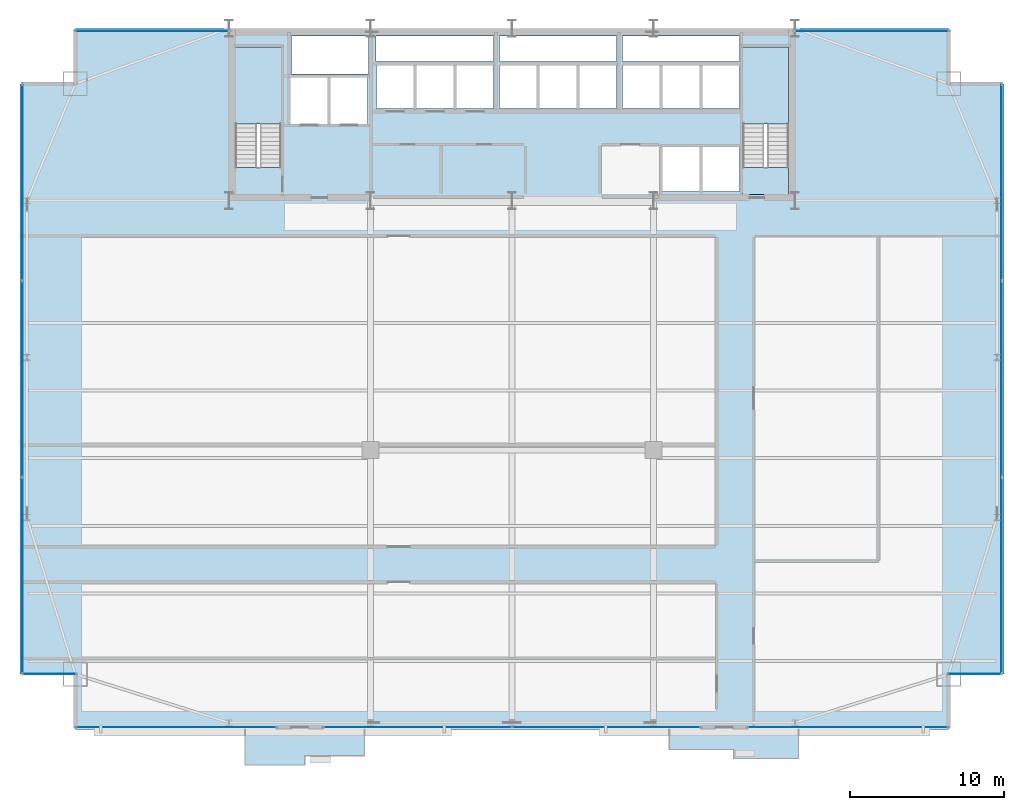
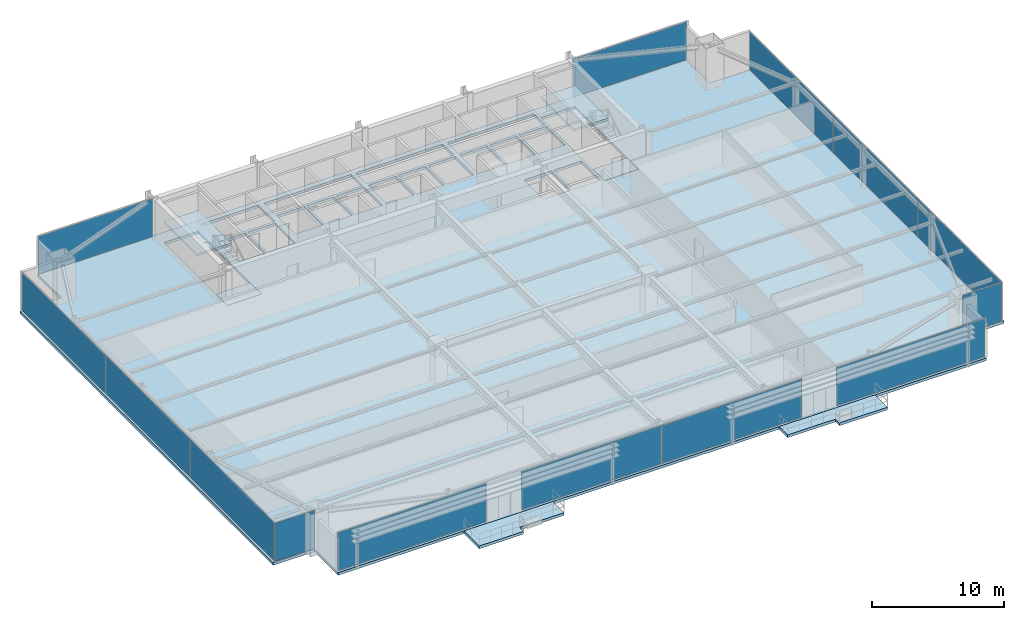
# One storey, part 24 of 31: 14 plates, 7 slabs, 11 elements without a shape of their own.
"""IFC4 building model written with IfcOpenShell, lengths in metres."""

from ifc_helpers import new_model, si_unit, direction, frame, origin, origin_2d, place, context, subcontext, project, spatial, polyline, rectangle, outline, extrude, source, transform, mapped, material, layer, layer_set, type_object, type_shapes, element, aggregate, save


model = new_model("IFC4")

# Units and contexts
model_context = context("Model", 3, precision=1e-05, world=origin(), true_north=direction((0.0, 1.0)))
body_context = subcontext(model_context, "Body", "Model", "MODEL_VIEW")
ifc_project = project(units=[si_unit("LENGTHUNIT", "METRE"), si_unit("AREAUNIT", "SQUARE_METRE"), si_unit("VOLUMEUNIT", "CUBIC_METRE"), si_unit("PLANEANGLEUNIT", "RADIAN"), si_unit("MASSUNIT", "GRAM", prefix="KILO")], contexts=[model_context])

# Site, building, storey
site_placement = place(None, origin())
site = spatial("IfcSite", under=ifc_project, at=site_placement, CompositionType="ELEMENT")
building_placement = place(site_placement, origin())
building = spatial("IfcBuilding", under=site, at=building_placement, Name="Varnel Quay Broadcast Tower", CompositionType="ELEMENT")
storey_placement = place(building_placement, frame((0.0, 0.0, 39.300048828125)))
storey = spatial("IfcBuildingStorey", under=building, at=storey_placement, Name="L08", CompositionType="ELEMENT", Elevation=39.300048828125)

# Slabs
ifc_material_1 = material(Name="Concrete CSA A23.3 C40/50", Category="concrete")
ifc_layer_1 = layer(ifc_material_1, 0.25, Name="Concrete CSA A23.3 C40/50")
ifc_layer_set_1 = layer_set([ifc_layer_1], Name="Concrete CSA A23.3 C40/50")
slab_type_1 = type_object("IfcSlabType", Name="Slab_ExtTerrace250", PredefinedType="FLOOR", material=ifc_layer_set_1)
slab_1_placement = place(storey_placement, frame((0.0, 0.0, -0.25)))
element("IfcSlab", 1, at=slab_1_placement, inside=storey, type_object=slab_type_1, Name="L08 Planted Lobe Terrace Slab 1", PredefinedType="FLOOR", context=body_context, shape_type="SweptSolid", body=[
    extrude(outline(polyline([(16.6298828125, -1.110107421875), (20.514892578125, -1.110107421875), (20.514892578125, -0.510009765625), (24.39990234375, -0.510009765625), (24.39990234375, 1.199951171875), (16.6298828125, 1.199951171875), (16.6298828125, -1.110107421875)])), origin(), (0.0, 0.0, 1.0), 0.25),
])
slab_2_placement = place(storey_placement, frame((0.0, 0.0, -0.25)))
element("IfcSlab", 2, at=slab_2_placement, inside=storey, type_object=slab_type_1, Name="L08 Planted Lobe Terrace Slab 2", PredefinedType="FLOOR", context=body_context, shape_type="SweptSolid", body=[
    extrude(outline(polyline([(44.22998046875, -0.090087890625), (48.429931640625, -0.090087890625), (48.429931640625, -0.68994140625), (52.6298828125, -0.68994140625), (52.6298828125, 1.199951171875), (44.22998046875, 1.199951171875), (44.22998046875, -0.090087890625)])), origin(), (0.0, 0.0, 1.0), 0.25),
])
ifc_material_2 = material(Name="Concrete CSA A23.3 C50/60", Category="concrete")
ifc_layer_2 = layer(ifc_material_2, 0.25, Name="Concrete CSA A23.3 C50/60")
ifc_layer_set_2 = layer_set([ifc_layer_2], Name="Concrete CSA A23.3 C50/60")
slab_type_2 = type_object("IfcSlabType", Name="Slab_Floor250", PredefinedType="FLOOR", material=ifc_layer_set_2)
slab_3_placement = place(storey_placement, frame((0.0, 0.0, -0.25)))
element("IfcSlab", 3, at=slab_3_placement, inside=storey, type_object=slab_type_2, Name="L08 Structural Slab", PredefinedType="FLOOR", context=body_context, shape_type="SweptSolid", body=[
    extrude(outline(polyline([(5.60009765625, 1.199951171875), (62.39990234375, 1.199951171875), (62.39990234375, 4.800048828125), (66.0, 4.800048828125), (66.0, 43.199951171875), (62.39990234375, 43.199951171875), (62.39990234375, 46.800048828125), (5.60009765625, 46.800048828125), (5.60009765625, 43.199951171875), (2.0, 43.199951171875), (2.0, 4.800048828125), (5.60009765625, 4.800048828125), (5.60009765625, 1.199951171875)]), holes=[polyline([(16.0, 36.0), (16.0, 45.60009765625), (19.0, 45.60009765625), (19.0, 36.0), (16.0, 36.0)]), polyline([(19.60009765625, 43.60009765625), (22.0, 43.60009765625), (22.0, 40.60009765625), (19.60009765625, 40.60009765625), (19.60009765625, 43.60009765625)]), polyline([(22.199951171875, 43.60009765625), (24.60009765625, 43.60009765625), (24.60009765625, 40.60009765625), (22.199951171875, 40.60009765625), (22.199951171875, 43.60009765625)]), polyline([(25.199951171875, 44.39990234375), (27.60009765625, 44.39990234375), (27.60009765625, 41.60009765625), (25.199951171875, 41.60009765625), (25.199951171875, 44.39990234375)]), polyline([(27.800048828125, 44.39990234375), (30.199951171875, 44.39990234375), (30.199951171875, 41.60009765625), (27.800048828125, 41.60009765625), (27.800048828125, 44.39990234375)]), polyline([(30.39990234375, 44.39990234375), (32.800048828125, 44.39990234375), (32.800048828125, 41.60009765625), (30.39990234375, 41.60009765625), (30.39990234375, 44.39990234375)]), polyline([(33.199951171875, 44.39990234375), (35.60009765625, 44.39990234375), (35.60009765625, 41.60009765625), (33.199951171875, 41.60009765625), (33.199951171875, 44.39990234375)]), polyline([(38.199951171875, 44.39990234375), (38.199951171875, 41.60009765625), (35.800048828125, 41.60009765625), (35.800048828125, 44.39990234375), (38.199951171875, 44.39990234375)]), polyline([(24.679931640625, 46.300048828125), (24.679931640625, 43.85009765625), (19.64990234375, 43.85009765625), (19.64990234375, 46.300048828125), (24.679931640625, 46.300048828125)]), polyline([(25.14990234375, 46.300048828125), (32.800048828125, 46.300048828125), (32.800048828125, 44.64990234375), (25.14990234375, 44.64990234375), (25.14990234375, 46.300048828125)]), polyline([(43.800048828125, 39.10009765625), (46.199951171875, 39.10009765625), (46.199951171875, 36.199951171875), (43.800048828125, 36.199951171875), (43.800048828125, 39.10009765625)]), polyline([(46.39990234375, 39.10009765625), (48.800048828125, 39.10009765625), (48.800048828125, 36.199951171875), (46.39990234375, 36.199951171875), (46.39990234375, 39.10009765625)]), polyline([(49.0, 45.60009765625), (52.0, 45.60009765625), (52.0, 36.0), (49.0, 36.0), (49.0, 45.60009765625)]), polyline([(40.800048828125, 44.39990234375), (40.800048828125, 41.60009765625), (38.39990234375, 41.60009765625), (38.39990234375, 44.39990234375), (40.800048828125, 44.39990234375)]), polyline([(41.199951171875, 44.39990234375), (43.60009765625, 44.39990234375), (43.60009765625, 41.60009765625), (41.199951171875, 41.60009765625), (41.199951171875, 44.39990234375)]), polyline([(43.800048828125, 44.39990234375), (46.199951171875, 44.39990234375), (46.199951171875, 41.60009765625), (43.800048828125, 41.60009765625), (43.800048828125, 44.39990234375)]), polyline([(46.39990234375, 44.39990234375), (48.800048828125, 44.39990234375), (48.800048828125, 41.60009765625), (46.39990234375, 41.60009765625), (46.39990234375, 44.39990234375)]), polyline([(40.800048828125, 46.300048828125), (40.800048828125, 44.64990234375), (33.199951171875, 44.64990234375), (33.199951171875, 46.300048828125), (40.800048828125, 46.300048828125)]), polyline([(48.800048828125, 46.300048828125), (48.800048828125, 44.64990234375), (41.199951171875, 44.64990234375), (41.199951171875, 46.300048828125), (48.800048828125, 46.300048828125)])]), origin(), (0.0, 0.0, 1.0), 0.25),
])
ifc_layer_3 = layer(ifc_material_2, 0.25, Name="Concrete CSA A23.3 C50/60")
ifc_layer_set_3 = layer_set([ifc_layer_3], Name="Concrete CSA A23.3 C50/60")
slab_type_3 = type_object("IfcSlabType", Name="Slab_StairFloorLanding250", PredefinedType="FLOOR", material=ifc_layer_set_3)
slab_4_placement = place(storey_placement, frame((0.0, 0.0, -0.25)))
element("IfcSlab", 4, at=slab_4_placement, inside=storey, type_object=slab_type_3, Name="L08 ST-01 Structural Floor Landing Slab", PredefinedType="FLOOR", context=body_context, shape_type="SweptSolid", body=[
    extrude(outline(polyline([(19.0, 36.0), (19.0, 37.75), (16.0, 37.75), (16.0, 36.0), (19.0, 36.0)])), origin(), (0.0, 0.0, 1.0), 0.25),
])
slab_5_placement = place(storey_placement, frame((0.0, 0.0, -0.25)))
element("IfcSlab", 5, at=slab_5_placement, inside=storey, type_object=slab_type_3, Name="L08 ST-02 Structural Floor Landing Slab", PredefinedType="FLOOR", context=body_context, shape_type="SweptSolid", body=[
    extrude(outline(polyline([(52.0, 36.0), (52.0, 37.75), (49.0, 37.75), (49.0, 36.0), (52.0, 36.0)])), origin(), (0.0, 0.0, 1.0), 0.25),
])

# Stair, slab
ifc_material_3 = material(Name="Precast Structural Concrete C40/50", Category="concrete")
stair_type_1 = type_object("IfcStairType", Name="Stair_ST-01", PredefinedType="HALF_TURN_STAIR", material=ifc_material_3)
stair_1_placement = place(storey_placement, origin())
stair_1 = element("IfcStair", 6, at=stair_1_placement, inside=storey, type_object=stair_type_1, Name="L08 West Core Exit Stair 1", PredefinedType="HALF_TURN_STAIR")
ifc_layer_4 = layer(ifc_material_3, 0.199951171875, Name="Precast Structural Concrete C40/50")
ifc_layer_set_4 = layer_set([ifc_layer_4], Name="Precast Structural Concrete C40/50")
slab_type_4 = type_object("IfcSlabType", Name="Slab_StairLanding200", PredefinedType="LANDING", material=ifc_layer_set_4)
slab_6_placement = place(storey_placement, frame((0.0, 0.0, 1.75)))
slab_6 = element("IfcSlab", 7, at=slab_6_placement, type_object=slab_type_4, Name="ST-01 landing 1", PredefinedType="LANDING", context=body_context, shape_type="SweptSolid", body=[
    extrude(outline(polyline([(19.0, 40.60009765625), (19.0, 45.60009765625), (16.0, 45.60009765625), (16.0, 40.60009765625), (19.0, 40.60009765625)])), origin(), (0.0, 0.0, 1.0), 0.199951171875),
])
aggregate(stair_1, [slab_6])

stair_type_2 = type_object("IfcStairType", Name="Stair_ST-02", PredefinedType="HALF_TURN_STAIR", material=ifc_material_3)
stair_2_placement = place(storey_placement, origin())
stair_2 = element("IfcStair", 8, at=stair_2_placement, inside=storey, type_object=stair_type_2, Name="L08 East Core Exit Stair 2", PredefinedType="HALF_TURN_STAIR")
slab_7_placement = place(storey_placement, frame((0.0, 0.0, 1.75)))
slab_7 = element("IfcSlab", 9, at=slab_7_placement, type_object=slab_type_4, Name="ST-02 landing 1", PredefinedType="LANDING", context=body_context, shape_type="SweptSolid", body=[
    extrude(outline(polyline([(52.0, 40.60009765625), (52.0, 45.60009765625), (49.0, 45.60009765625), (49.0, 40.60009765625), (52.0, 40.60009765625)])), origin(), (0.0, 0.0, 1.0), 0.199951171875),
])
aggregate(stair_2, [slab_7])

# Curtain wall, plate
ifc_material_4 = material(Name="Anodised Bronze Aluminium 6063-T6", Category="aluminium")
ifc_layer_5 = layer(ifc_material_4, 0.18994140625, Name="Anodised Bronze Aluminium 6063-T6")
ifc_layer_set_5 = layer_set([ifc_layer_5], Name="Anodised Bronze Aluminium 6063-T6")
curtain_wall_type_1 = type_object("IfcCurtainWallType", Name="CW_LowerTower", PredefinedType="NOTDEFINED", material=ifc_layer_set_5)
curtain_wall_1_placement = place(storey_placement, origin())
curtain_wall_1 = element("IfcCurtainWall", 10, at=curtain_wall_1_placement, inside=storey, type_object=curtain_wall_type_1, Name="L08 South Unitised Curtain Wall 1", PredefinedType="NOTDEFINED")
ifc_material_5 = material(Name="Triple-Glazed Bronze Low-E Architectural Glass", Category="glass")
ifc_layer_6 = layer(ifc_material_5, 0.031982421875, Name="Triple-Glazed Bronze Low-E Architectural Glass")
ifc_layer_set_6 = layer_set([ifc_layer_6], Name="Triple-Glazed Bronze Low-E Architectural Glass")
plate_type_1 = type_object("IfcPlateType", Name="Panel_CWS-02", PredefinedType="CURTAIN_PANEL", material=ifc_layer_set_6)
shared_shape_1 = source(origin(), body_context, "Body", "SweptSolid", [
    extrude(rectangle(XDim=12.97998046875, YDim=0.031982421875, at=origin_2d()), origin(), (0.0, 0.0, 1.0), 3.530029296875),
])
plate_1_placement = place(storey_placement, frame((12.159912109375, 1.35009765625, 0.06005859375), z_axis=(0.0, 0.0, 1.0), x_axis=(1.0, 0.0, 0.0)))
plate_1 = element("IfcPlate", 11, at=plate_1_placement, type_object=plate_type_1, Name="CWS-02 panel 1.1", PredefinedType="CURTAIN_PANEL", context=body_context, shape_type="MappedRepresentation", body=[
    mapped(shared_shape_1, transform((0.0, 0.0, 0.0), x_axis=(1.0, 0.0, 0.0), y_axis=(0.0, 1.0, 0.0), z_axis=(0.0, 0.0, 1.0), scale=1.0)),
])
aggregate(curtain_wall_1, [plate_1])

curtain_wall_2_placement = place(storey_placement, origin())
curtain_wall_2 = element("IfcCurtainWall", 12, at=curtain_wall_2_placement, inside=storey, type_object=curtain_wall_type_1, Name="L08 South Unitised Curtain Wall 3", PredefinedType="NOTDEFINED")
plate_2_placement = place(storey_placement, frame((55.840087890625, 1.35009765625, 0.06005859375), z_axis=(0.0, 0.0, 1.0), x_axis=(1.0, 0.0, 0.0)))
plate_2 = element("IfcPlate", 13, at=plate_2_placement, type_object=plate_type_1, Name="CWS-02 panel 1.1", PredefinedType="CURTAIN_PANEL", context=body_context, shape_type="MappedRepresentation", body=[
    mapped(shared_shape_1, transform((0.0, 0.0, 0.0), x_axis=(1.0, 0.0, 0.0), y_axis=(0.0, 1.0, 0.0), z_axis=(0.0, 0.0, 1.0), scale=1.0)),
])
aggregate(curtain_wall_2, [plate_2])

# Curtain wall, plates
curtain_wall_3_placement = place(storey_placement, origin())
curtain_wall_3 = element("IfcCurtainWall", 14, at=curtain_wall_3_placement, inside=storey, type_object=curtain_wall_type_1, Name="L08 South Unitised Curtain Wall 2", PredefinedType="NOTDEFINED")
ifc_material_6 = material(Name="Insulated Bronze Spandrel Glass", Category="glass")
ifc_layer_7 = layer(ifc_material_6, 0.031982421875, Name="Insulated Bronze Spandrel Glass")
ifc_layer_set_7 = layer_set([ifc_layer_7], Name="Insulated Bronze Spandrel Glass")
plate_type_2 = type_object("IfcPlateType", Name="PanelSp_CWS-02", PredefinedType="CURTAIN_PANEL", material=ifc_layer_set_7)
shared_shape_2 = source(origin(), body_context, "Body", "SweptSolid", [
    extrude(rectangle(XDim=12.215087890625, YDim=0.031982421875, at=origin_2d()), origin(), (0.0, 0.0, 1.0), 3.530029296875),
])
plate_3_placement = place(storey_placement, frame((27.857421875, 1.35009765625, 0.06005859375), z_axis=(0.0, 0.0, 1.0), x_axis=(1.0, 0.0, 0.0)))
plate_3 = element("IfcPlate", 15, at=plate_3_placement, type_object=plate_type_2, Name="CWS-02 panel 1.1", PredefinedType="CURTAIN_PANEL", context=body_context, shape_type="MappedRepresentation", body=[
    mapped(shared_shape_2, transform((0.0, 0.0, 0.0), x_axis=(1.0, 0.0, 0.0), y_axis=(0.0, 1.0, 0.0), z_axis=(0.0, 0.0, 1.0), scale=1.0)),
])
plate_4_placement = place(storey_placement, frame((40.142578125, 1.35009765625, 0.06005859375), z_axis=(0.0, 0.0, 1.0), x_axis=(1.0, 0.0, 0.0)))
plate_4 = element("IfcPlate", 16, at=plate_4_placement, type_object=plate_type_2, Name="CWS-02 panel 2.1", PredefinedType="CURTAIN_PANEL", context=body_context, shape_type="MappedRepresentation", body=[
    mapped(shared_shape_2, transform((0.0, 0.0, 0.0), x_axis=(1.0, 0.0, 0.0), y_axis=(0.0, 1.0, 0.0), z_axis=(0.0, 0.0, 1.0), scale=1.0)),
])
aggregate(curtain_wall_3, [plate_3, plate_4])

curtain_wall_4_placement = place(storey_placement, origin())
curtain_wall_4 = element("IfcCurtainWall", 17, at=curtain_wall_4_placement, inside=storey, type_object=curtain_wall_type_1, Name="L08 West Unitised Curtain Wall", PredefinedType="NOTDEFINED")
shared_shape_3 = source(origin(), body_context, "Body", "SweptSolid", [
    extrude(rectangle(XDim=12.695068359375, YDim=0.031982421875, at=origin_2d()), origin(), (0.0, 0.0, 1.0), 3.530029296875),
])
plate_5_placement = place(storey_placement, frame((2.14990234375, 11.217529296875, 0.06005859375), z_axis=(0.0, 0.0, 1.0), x_axis=(0.0, 1.0, 0.0)))
plate_5 = element("IfcPlate", 18, at=plate_5_placement, type_object=plate_type_2, Name="CWS-02 panel 1.1", PredefinedType="CURTAIN_PANEL", context=body_context, shape_type="MappedRepresentation", body=[
    mapped(shared_shape_3, transform((0.0, 0.0, 0.0), x_axis=(1.0, 0.0, 0.0), y_axis=(0.0, 1.0, 0.0), z_axis=(0.0, 0.0, 1.0), scale=1.0)),
])
plate_6_placement = place(storey_placement, frame((2.14990234375, 36.782470703125, 0.06005859375), z_axis=(0.0, 0.0, 1.0), x_axis=(0.0, 1.0, 0.0)))
plate_6 = element("IfcPlate", 19, at=plate_6_placement, type_object=plate_type_2, Name="CWS-02 panel 3.1", PredefinedType="CURTAIN_PANEL", context=body_context, shape_type="MappedRepresentation", body=[
    mapped(shared_shape_3, transform((0.0, 0.0, 0.0), x_axis=(1.0, 0.0, 0.0), y_axis=(0.0, 1.0, 0.0), z_axis=(0.0, 0.0, 1.0), scale=1.0)),
])

curtain_wall_5_placement = place(storey_placement, origin())
curtain_wall_5 = element("IfcCurtainWall", 20, at=curtain_wall_5_placement, inside=storey, type_object=curtain_wall_type_1, Name="L08 East Unitised Curtain Wall", PredefinedType="NOTDEFINED")
plate_7_placement = place(storey_placement, frame((65.85009765625, 11.217529296875, 0.06005859375), z_axis=(0.0, 0.0, 1.0), x_axis=(0.0, 1.0, 0.0)))
plate_7 = element("IfcPlate", 21, at=plate_7_placement, type_object=plate_type_2, Name="CWS-02 panel 1.1", PredefinedType="CURTAIN_PANEL", context=body_context, shape_type="MappedRepresentation", body=[
    mapped(shared_shape_3, transform((0.0, 0.0, 0.0), x_axis=(1.0, 0.0, 0.0), y_axis=(0.0, 1.0, 0.0), z_axis=(0.0, 0.0, 1.0), scale=1.0)),
])
plate_8_placement = place(storey_placement, frame((65.85009765625, 36.782470703125, 0.06005859375), z_axis=(0.0, 0.0, 1.0), x_axis=(0.0, 1.0, 0.0)))
plate_8 = element("IfcPlate", 22, at=plate_8_placement, type_object=plate_type_2, Name="CWS-02 panel 3.1", PredefinedType="CURTAIN_PANEL", context=body_context, shape_type="MappedRepresentation", body=[
    mapped(shared_shape_3, transform((0.0, 0.0, 0.0), x_axis=(1.0, 0.0, 0.0), y_axis=(0.0, 1.0, 0.0), z_axis=(0.0, 0.0, 1.0), scale=1.0)),
])

# Plate
shared_shape_4 = source(origin(), body_context, "Body", "SweptSolid", [
    extrude(rectangle(XDim=12.72998046875, YDim=0.031982421875, at=origin_2d()), origin(), (0.0, 0.0, 1.0), 3.530029296875),
])
type_shapes(plate_type_2, [shared_shape_2, shared_shape_3, shared_shape_4])
plate_9_placement = place(storey_placement, frame((2.14990234375, 24.0, 0.06005859375), z_axis=(0.0, 0.0, 1.0), x_axis=(0.0, 1.0, 0.0)))
plate_9 = element("IfcPlate", 23, at=plate_9_placement, type_object=plate_type_2, Name="CWS-02 panel 2.1", PredefinedType="CURTAIN_PANEL", context=body_context, shape_type="MappedRepresentation", body=[
    mapped(shared_shape_4, transform((0.0, 0.0, 0.0), x_axis=(1.0, 0.0, 0.0), y_axis=(0.0, 1.0, 0.0), z_axis=(0.0, 0.0, 1.0), scale=1.0)),
])

aggregate(curtain_wall_4, [plate_5, plate_9, plate_6])

plate_10_placement = place(storey_placement, frame((65.85009765625, 24.0, 0.06005859375), z_axis=(0.0, 0.0, 1.0), x_axis=(0.0, 1.0, 0.0)))
plate_10 = element("IfcPlate", 24, at=plate_10_placement, type_object=plate_type_2, Name="CWS-02 panel 2.1", PredefinedType="CURTAIN_PANEL", context=body_context, shape_type="MappedRepresentation", body=[
    mapped(shared_shape_4, transform((0.0, 0.0, 0.0), x_axis=(1.0, 0.0, 0.0), y_axis=(0.0, 1.0, 0.0), z_axis=(0.0, 0.0, 1.0), scale=1.0)),
])

aggregate(curtain_wall_5, [plate_7, plate_10, plate_8])

# Curtain wall, plate
ifc_layer_8 = layer(ifc_material_4, 0.18994140625, Name="Anodised Bronze Aluminium 6063-T6")
ifc_layer_set_8 = layer_set([ifc_layer_8], Name="Anodised Bronze Aluminium 6063-T6")
curtain_wall_type_2 = type_object("IfcCurtainWallType", Name="CW_NotchCorner", PredefinedType="NOTDEFINED", material=ifc_layer_set_8)
curtain_wall_6_placement = place(storey_placement, origin())
curtain_wall_6 = element("IfcCurtainWall", 25, at=curtain_wall_6_placement, inside=storey, type_object=curtain_wall_type_2, Name="L08 SW Notch Curtain Wall", PredefinedType="NOTDEFINED")
ifc_layer_9 = layer(ifc_material_5, 0.028076171875, Name="Triple-Glazed Bronze Low-E Architectural Glass")
ifc_layer_set_9 = layer_set([ifc_layer_9], Name="Triple-Glazed Bronze Low-E Architectural Glass")
plate_type_3 = type_object("IfcPlateType", Name="Panel_CWS-04", PredefinedType="CURTAIN_PANEL", material=ifc_layer_set_9)
shared_shape_5 = source(origin(), body_context, "Body", "SweptSolid", [
    extrude(rectangle(XDim=3.409912109375, YDim=0.028076171875, at=origin_2d()), origin(), (0.0, 0.0, 1.0), 3.5400390625),
])
type_shapes(plate_type_3, [shared_shape_5])
plate_11_placement = place(storey_placement, frame((3.9150390625, 4.800048828125, 0.054931640625), z_axis=(0.0, 0.0, 1.0), x_axis=(1.0, 0.0, 0.0)))
plate_11 = element("IfcPlate", 26, at=plate_11_placement, type_object=plate_type_3, Name="CWS-04 panel 1.1", PredefinedType="CURTAIN_PANEL", context=body_context, shape_type="MappedRepresentation", body=[
    mapped(shared_shape_5, transform((0.0, 0.0, 0.0), x_axis=(1.0, 0.0, 0.0), y_axis=(0.0, 1.0, 0.0), z_axis=(0.0, 0.0, 1.0), scale=1.0)),
])
aggregate(curtain_wall_6, [plate_11])

curtain_wall_7_placement = place(storey_placement, origin())
curtain_wall_7 = element("IfcCurtainWall", 27, at=curtain_wall_7_placement, inside=storey, type_object=curtain_wall_type_2, Name="L08 SE Notch Curtain Wall", PredefinedType="NOTDEFINED")
plate_12_placement = place(storey_placement, frame((64.0849609375, 4.800048828125, 0.054931640625), z_axis=(0.0, 0.0, 1.0), x_axis=(1.0, 0.0, 0.0)))
plate_12 = element("IfcPlate", 28, at=plate_12_placement, type_object=plate_type_3, Name="CWS-04 panel 1.1", PredefinedType="CURTAIN_PANEL", context=body_context, shape_type="MappedRepresentation", body=[
    mapped(shared_shape_5, transform((0.0, 0.0, 0.0), x_axis=(1.0, 0.0, 0.0), y_axis=(0.0, 1.0, 0.0), z_axis=(0.0, 0.0, 1.0), scale=1.0)),
])
aggregate(curtain_wall_7, [plate_12])

curtain_wall_8_placement = place(storey_placement, origin())
curtain_wall_8 = element("IfcCurtainWall", 29, at=curtain_wall_8_placement, inside=storey, type_object=curtain_wall_type_1, Name="L08 NW Wing Curtain Wall", PredefinedType="NOTDEFINED")
shared_shape_6 = source(origin(), body_context, "Body", "SweptSolid", [
    extrude(rectangle(XDim=10.0400390625, YDim=0.031982421875, at=origin_2d()), origin(), (0.0, 0.0, 1.0), 3.530029296875),
])
type_shapes(plate_type_1, [shared_shape_1, shared_shape_6])
plate_13_placement = place(storey_placement, frame((10.610107421875, 46.64990234375, 0.06005859375), z_axis=(0.0, 0.0, 1.0), x_axis=(1.0, 0.0, 0.0)))
plate_13 = element("IfcPlate", 30, at=plate_13_placement, type_object=plate_type_1, Name="CWS-02 panel 1.1", PredefinedType="CURTAIN_PANEL", context=body_context, shape_type="MappedRepresentation", body=[
    mapped(shared_shape_6, transform((0.0, 0.0, 0.0), x_axis=(1.0, 0.0, 0.0), y_axis=(0.0, 1.0, 0.0), z_axis=(0.0, 0.0, 1.0), scale=1.0)),
])
aggregate(curtain_wall_8, [plate_13])

curtain_wall_9_placement = place(storey_placement, origin())
curtain_wall_9 = element("IfcCurtainWall", 31, at=curtain_wall_9_placement, inside=storey, type_object=curtain_wall_type_1, Name="L08 NE Wing Curtain Wall", PredefinedType="NOTDEFINED")
plate_14_placement = place(storey_placement, frame((57.389892578125, 46.64990234375, 0.06005859375), z_axis=(0.0, 0.0, 1.0), x_axis=(1.0, 0.0, 0.0)))
plate_14 = element("IfcPlate", 32, at=plate_14_placement, type_object=plate_type_1, Name="CWS-02 panel 1.1", PredefinedType="CURTAIN_PANEL", context=body_context, shape_type="MappedRepresentation", body=[
    mapped(shared_shape_6, transform((0.0, 0.0, 0.0), x_axis=(1.0, 0.0, 0.0), y_axis=(0.0, 1.0, 0.0), z_axis=(0.0, 0.0, 1.0), scale=1.0)),
])
aggregate(curtain_wall_9, [plate_14])

save(model, "model.ifc")
